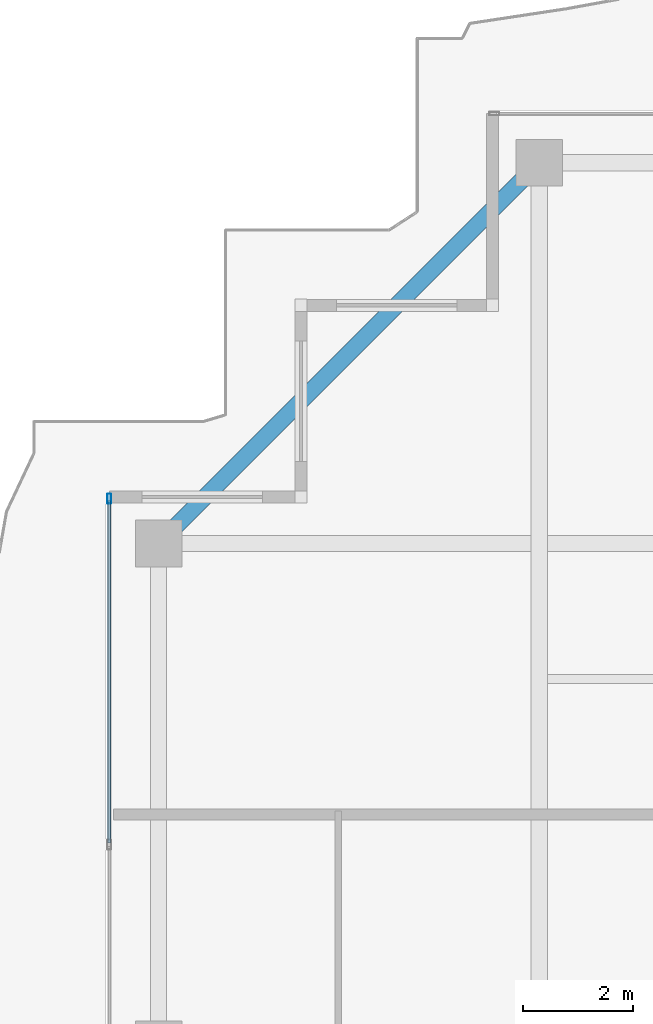
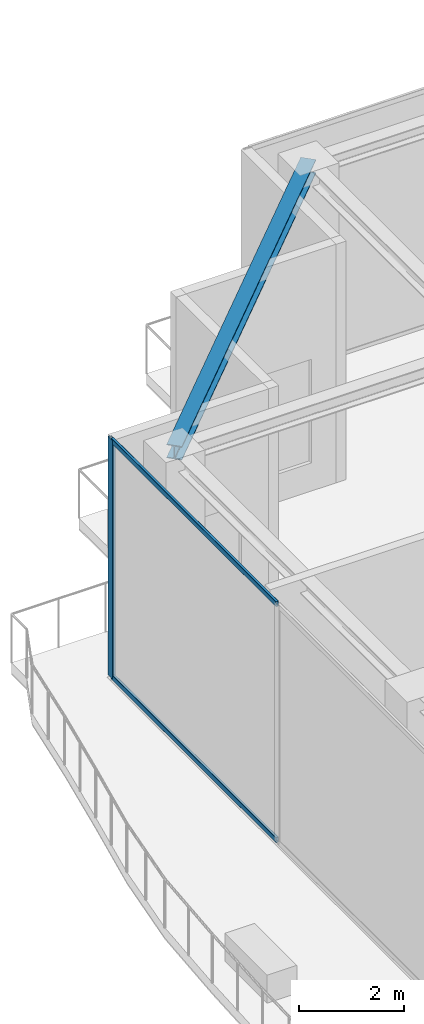
# One storey, part 17 of 38: 3 members, 1 beam, 1 element without a shape of its own.
"""IFC4 building model written with IfcOpenShell, lengths in metres."""

from ifc_helpers import new_model, si_unit, direction, frame, origin, origin_2d, place, context, subcontext, project, spatial, hollow_rectangle, i_section, extrude, source, transform, mapped, material, layer, layer_set, material_profile, profile_set, type_object, element, aggregate, save


model = new_model("IFC4")

# Units and contexts
model_context = context("Model", 3, precision=1e-05, world=origin(), true_north=direction((0.0, 1.0)))
body_context = subcontext(model_context, "Body", "Model", "MODEL_VIEW")
ifc_project = project(units=[si_unit("LENGTHUNIT", "METRE"), si_unit("AREAUNIT", "SQUARE_METRE"), si_unit("VOLUMEUNIT", "CUBIC_METRE"), si_unit("PLANEANGLEUNIT", "RADIAN"), si_unit("MASSUNIT", "GRAM", prefix="KILO")], contexts=[model_context])

# Site, building, storey
site_placement = place(None, origin())
site = spatial("IfcSite", under=ifc_project, at=site_placement, CompositionType="ELEMENT")
building_placement = place(site_placement, origin())
building = spatial("IfcBuilding", under=site, at=building_placement, Name="Serunith Strait Residences", CompositionType="ELEMENT")
storey_placement = place(building_placement, frame((0.0, 0.0, 353.85009765625)))
storey = spatial("IfcBuildingStorey", under=building, at=storey_placement, Name="L87", CompositionType="ELEMENT", Elevation=353.85009765625)

# Beam
ifc_material_1 = material(Name="Steel S355J2", Category="steel")
ifc_material_profile_1 = material_profile(ifc_material_1, i_section(OverallWidth=0.300048828125, OverallDepth=0.320068359375, WebThickness=0.011474609375, FlangeThickness=0.0205078125, FilletRadius=0.027099609375, at=origin_2d()), Name="HEB 320")
ifc_profile_set_1 = profile_set([ifc_material_profile_1], Name="Steel S355J2")
beam_type = type_object("IfcBeamType", Name="BM-HEB320", PredefinedType="BEAM", material=ifc_profile_set_1)
shared_shape_1 = source(origin(), body_context, "Body", "SweptSolid", [
    extrude(i_section(OverallWidth=0.300048828125, OverallDepth=0.320068359375, WebThickness=0.011474609375, FlangeThickness=0.0205078125, FilletRadius=0.027099609375, at=origin_2d()), origin(), (0.0, 0.0, 1.0), 9.82861328125),
])
beam_placement = place(storey_placement, frame((18.64990234375, 45.5, 5.376953125), z_axis=(-0.707106781187, -0.707106781187, 0.0), x_axis=(0.707106781187, -0.707106781187, 0.0)))
element("IfcBeam", 1, at=beam_placement, inside=storey, type_object=beam_type, Name="L87 Perimeter Ring Beam 12", PredefinedType="BEAM", context=body_context, shape_type="MappedRepresentation", body=[
    mapped(shared_shape_1, transform((0.0, 0.0, 0.0), scale=1.0)),
])

# Curtain wall, members
ifc_material_2 = material(Name="Brushed Stainless-Silver Aluminium", Category="aluminium")
ifc_layer = layer(ifc_material_2, 0.199951171875, Name="Brushed Stainless-Silver Aluminium")
ifc_layer_set = layer_set([ifc_layer], Name="Brushed Stainless-Silver Aluminium")
curtain_wall_type = type_object("IfcCurtainWallType", Name="CW-SYS5", PredefinedType="NOTDEFINED", material=ifc_layer_set)
curtain_wall_placement = place(storey_placement, origin())
curtain_wall = element("IfcCurtainWall", 2, at=curtain_wall_placement, inside=storey, type_object=curtain_wall_type, Name="L87 W Unitised Fritted Curtain Wall", PredefinedType="NOTDEFINED")
ifc_material_profile_2 = material_profile(ifc_material_2, hollow_rectangle(XDim=0.06005859375, YDim=0.1201171875, WallThickness=0.00341796875, InnerFilletRadius=0.00537109375, OuterFilletRadius=0.0087890625, at=origin_2d()), Name="ALU 120x60x3.5")
ifc_profile_set_2 = profile_set([ifc_material_profile_2], Name="Brushed Stainless-Silver Aluminium")
member_type_1 = type_object("IfcMemberType", Name="CW-SYS5-TRAN", PredefinedType="USERDEFINED", material=ifc_profile_set_2)
shared_shape_2 = source(origin(), body_context, "Body", "SweptSolid", [
    extrude(hollow_rectangle(XDim=0.06005859375, YDim=0.1201171875, WallThickness=0.00341796875, InnerFilletRadius=0.00537109375, OuterFilletRadius=0.0087890625, at=origin_2d()), origin(), (0.0, 0.0, 1.0), 6.25244140625),
])
member_1_placement = place(storey_placement, frame((10.800048828125, 39.3349609375, 0.02978515625), z_axis=(0.0, -1.0, 0.0), x_axis=(1.0, 0.0, 0.0)))
member_1 = element("IfcMember", 3, at=member_1_placement, type_object=member_type_1, Name="CW-5 transom 1.1", ObjectType="TRANSOM", PredefinedType="USERDEFINED", context=body_context, shape_type="MappedRepresentation", body=[
    mapped(shared_shape_2, transform((0.0, 0.0, 0.0), scale=1.0)),
])
member_2_placement = place(storey_placement, frame((10.800048828125, 39.3349609375, 5.494873046875), z_axis=(0.0, -1.0, 0.0), x_axis=(1.0, 0.0, 0.0)))
member_2 = element("IfcMember", 4, at=member_2_placement, type_object=member_type_1, Name="CW-5 transom 1.2", ObjectType="TRANSOM", PredefinedType="USERDEFINED", context=body_context, shape_type="MappedRepresentation", body=[
    mapped(shared_shape_2, transform((0.0, 0.0, 0.0), scale=1.0)),
])
ifc_material_profile_3 = material_profile(ifc_material_2, hollow_rectangle(XDim=0.06494140625, YDim=0.179931640625, WallThickness=0.00341796875, InnerFilletRadius=0.00537109375, OuterFilletRadius=0.0087890625, at=origin_2d()), Name="ALU 180x65x3.5")
ifc_profile_set_3 = profile_set([ifc_material_profile_3], Name="Brushed Stainless-Silver Aluminium")
member_type_2 = type_object("IfcMemberType", Name="CW-SYS5-MULL", PredefinedType="MULLION", material=ifc_profile_set_3)
shared_shape_3 = source(origin(), body_context, "Body", "SweptSolid", [
    extrude(hollow_rectangle(XDim=0.06494140625, YDim=0.179931640625, WallThickness=0.00341796875, InnerFilletRadius=0.00537109375, OuterFilletRadius=0.0087890625, at=origin_2d()), origin(), (0.0, 0.0, 1.0), 5.52490234375),
])
member_3_placement = place(storey_placement, frame((10.800048828125, 39.367431640625, 0.0), z_axis=(0.0, 0.0, 1.0), x_axis=(1.0, 0.0, 0.0)))
member_3 = element("IfcMember", 5, at=member_3_placement, type_object=member_type_2, Name="CW-5 mullion 1", PredefinedType="MULLION", context=body_context, shape_type="MappedRepresentation", body=[
    mapped(shared_shape_3, transform((0.0, 0.0, 0.0), scale=1.0)),
])
aggregate(curtain_wall, [member_3, member_1, member_2])

save(model, "model.ifc")
